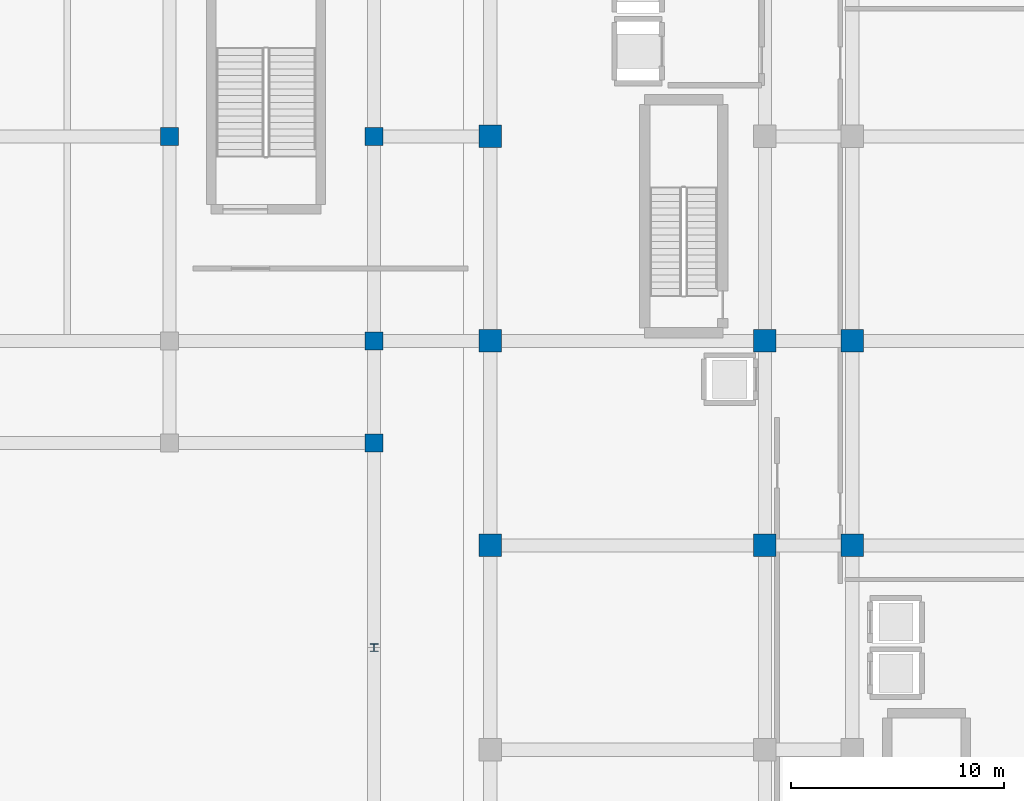
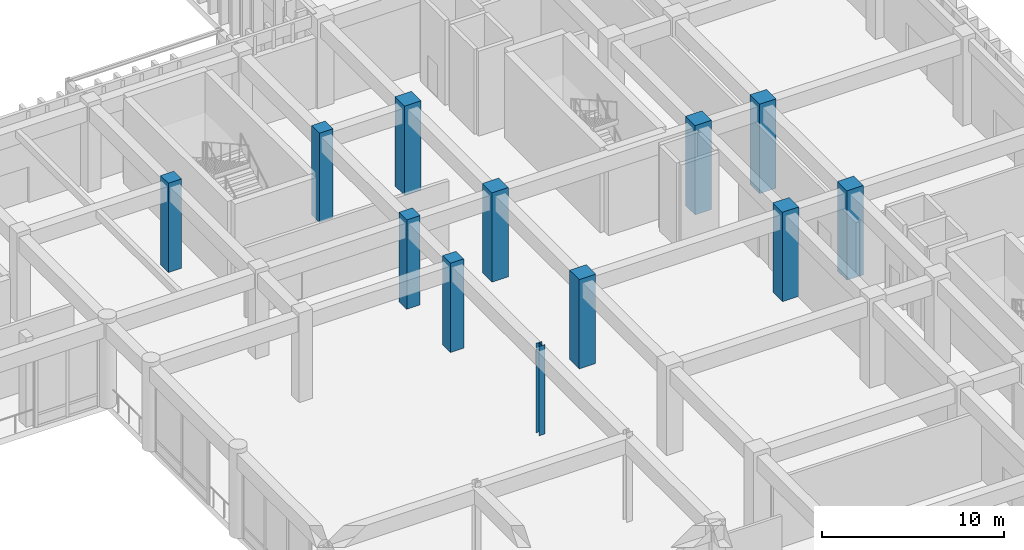
# One storey, part 11 of 87: 12 columns.
"""IFC4 building model written with IfcOpenShell, lengths in metres."""

from ifc_helpers import new_model, si_unit, direction, frame, origin, origin_2d, place, context, subcontext, project, spatial, rectangle, i_section, extrude, material, material_profile, profile_set, type_object, element, save


model = new_model("IFC4")

# Units and contexts
model_context = context("Model", 3, precision=1e-05, world=origin(), true_north=direction((0.0, 1.0)))
body_context = subcontext(model_context, "Body", "Model", "MODEL_VIEW")
ifc_project = project(units=[si_unit("LENGTHUNIT", "METRE"), si_unit("AREAUNIT", "SQUARE_METRE"), si_unit("VOLUMEUNIT", "CUBIC_METRE"), si_unit("PLANEANGLEUNIT", "RADIAN"), si_unit("MASSUNIT", "GRAM", prefix="KILO")], contexts=[model_context])

# Site, building, storey
site_placement = place(None, origin())
site = spatial("IfcSite", under=ifc_project, at=site_placement, CompositionType="ELEMENT")
building_placement = place(site_placement, origin())
building = spatial("IfcBuilding", under=site, at=building_placement, Name="Nakhvara Creek Congress Hotel", CompositionType="ELEMENT")
storey_placement = place(building_placement, origin())
storey = spatial("IfcBuildingStorey", under=building, at=storey_placement, Name="L00", CompositionType="ELEMENT", Elevation=0.0)

# Columns
ifc_material_1 = material(Name="Concrete C50/60", Category="concrete")
ifc_material_profile_1 = material_profile(ifc_material_1, rectangle(XDim=1.050048828125, YDim=1.050048828125, at=origin_2d()), Name="RC-COL 1050x1050", Category="LoadBearing")
ifc_profile_set_1 = profile_set([ifc_material_profile_1], Name="Concrete C50/60")
column_type_1 = type_object("IfcColumnType", Name="COL-RC-1050", PredefinedType="COLUMN", material=ifc_profile_set_1)
for number, where, z_axis, x_axis, name in (
    (1, (149.449951171875, 67.199951171875, 0.0), (0.0, 0.0, 1.0), (1.0, 0.0, 0.0), "Column C16-L00-0763"),
    (2, (149.449951171875, 76.800048828125, 0.0), (0.0, 0.0, 1.0), (1.0, 0.0, 0.0), "Column C16-L00-0764"),
    (3, (149.449951171875, 86.39990234375, 0.0), (0.0, 0.0, 1.0), (1.0, 0.0, 0.0), "Column C16-L00-0765"),
    (4, (162.35009765625, 67.199951171875, 0.0), (0.0, 0.0, 1.0), (1.0, 0.0, 0.0), "Column C16-L00-0777"),
    (5, (162.35009765625, 76.800048828125, 0.0), (0.0, 0.0, 1.0), (1.0, 0.0, 0.0), "Column C16-L00-0778"),
    (6, (166.449951171875, 67.199951171875, 0.0), (0.0, 0.0, 1.0), (1.0, 0.0, 0.0), "Column C16-L00-0791"),
    (7, (166.449951171875, 76.800048828125, 0.0), (0.0, 0.0, 1.0), (1.0, 0.0, 0.0), "Column C16-L00-0792"),
):
    element("IfcColumn", number, at=place(storey_placement, frame(where, z_axis=z_axis, x_axis=x_axis)), inside=storey, type_object=column_type_1, Name=name, PredefinedType="COLUMN", context=body_context, shape_type="SweptSolid", body=[
        extrude(rectangle(XDim=1.050048828125, YDim=1.050048828125, at=origin_2d()), origin(), (0.0, 0.0, 1.0), 6.0),
    ])
ifc_material_profile_2 = material_profile(ifc_material_1, rectangle(XDim=0.85009765625, YDim=0.85009765625, at=origin_2d()), Name="RC-COL 850x850", Category="LoadBearing")
ifc_profile_set_2 = profile_set([ifc_material_profile_2], Name="Concrete C50/60")
column_type_2 = type_object("IfcColumnType", Name="COL-RC-850", PredefinedType="COLUMN", material=ifc_profile_set_2)
for number, where, z_axis, x_axis, name in (
    (8, (134.39990234375, 86.39990234375, 0.0), (0.0, 0.0, 1.0), (1.0, 0.0, 0.0), "Column C18-L00-0726"),
    (9, (144.0, 72.0, 0.0), (0.0, 0.0, 1.0), (1.0, 0.0, 0.0), "Column C18-L00-0736"),
    (10, (144.0, 76.800048828125, 0.0), (0.0, 0.0, 1.0), (1.0, 0.0, 0.0), "Column C18-L00-0737"),
    (11, (144.0, 86.39990234375, 0.0), (0.0, 0.0, 1.0), (1.0, 0.0, 0.0), "Column C18-L00-0738"),
):
    element("IfcColumn", number, at=place(storey_placement, frame(where, z_axis=z_axis, x_axis=x_axis)), inside=storey, type_object=column_type_2, Name=name, PredefinedType="COLUMN", context=body_context, shape_type="SweptSolid", body=[
        extrude(rectangle(XDim=0.85009765625, YDim=0.85009765625, at=origin_2d()), origin(), (0.0, 0.0, 1.0), 6.0),
    ])
ifc_material_2 = material(Name="Steel S355J2", Category="steel")
ifc_material_profile_3 = material_profile(ifc_material_2, i_section(OverallWidth=0.37060546875, OverallDepth=0.362060546875, WebThickness=0.01220703125, FlangeThickness=0.020751953125, FilletRadius=0.01513671875, at=origin_2d()), Name="UC 356x368x153", Category="LoadBearing")
ifc_profile_set_3 = profile_set([ifc_material_profile_3], Name="Steel S355J2")
column_type_3 = type_object("IfcColumnType", Name="COL-ST-UC356", PredefinedType="COLUMN", material=ifc_profile_set_3)
column_placement = place(storey_placement, frame((144.0, 62.39990234375, 0.0), z_axis=(0.0, 0.0, 1.0), x_axis=(1.0, 0.0, 0.0)))
element("IfcColumn", 12, at=column_placement, inside=storey, type_object=column_type_3, Name="Column CS1-L00-0735", PredefinedType="COLUMN", context=body_context, shape_type="SweptSolid", body=[
    extrude(i_section(OverallWidth=0.37060546875, OverallDepth=0.362060546875, WebThickness=0.01220703125, FlangeThickness=0.020751953125, FilletRadius=0.01513671875, at=origin_2d()), origin(), (0.0, 0.0, 1.0), 6.0),
])

save(model, "model.ifc")
